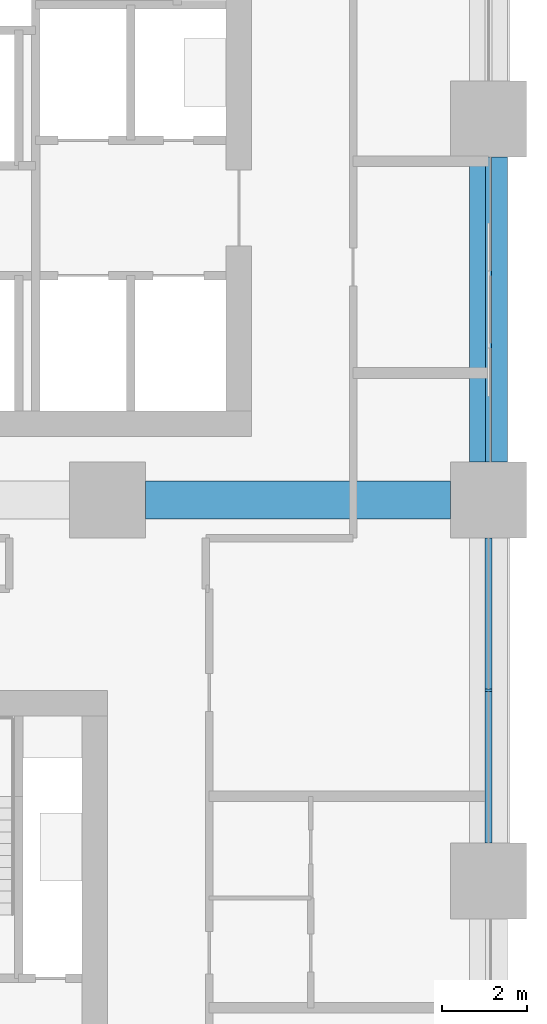
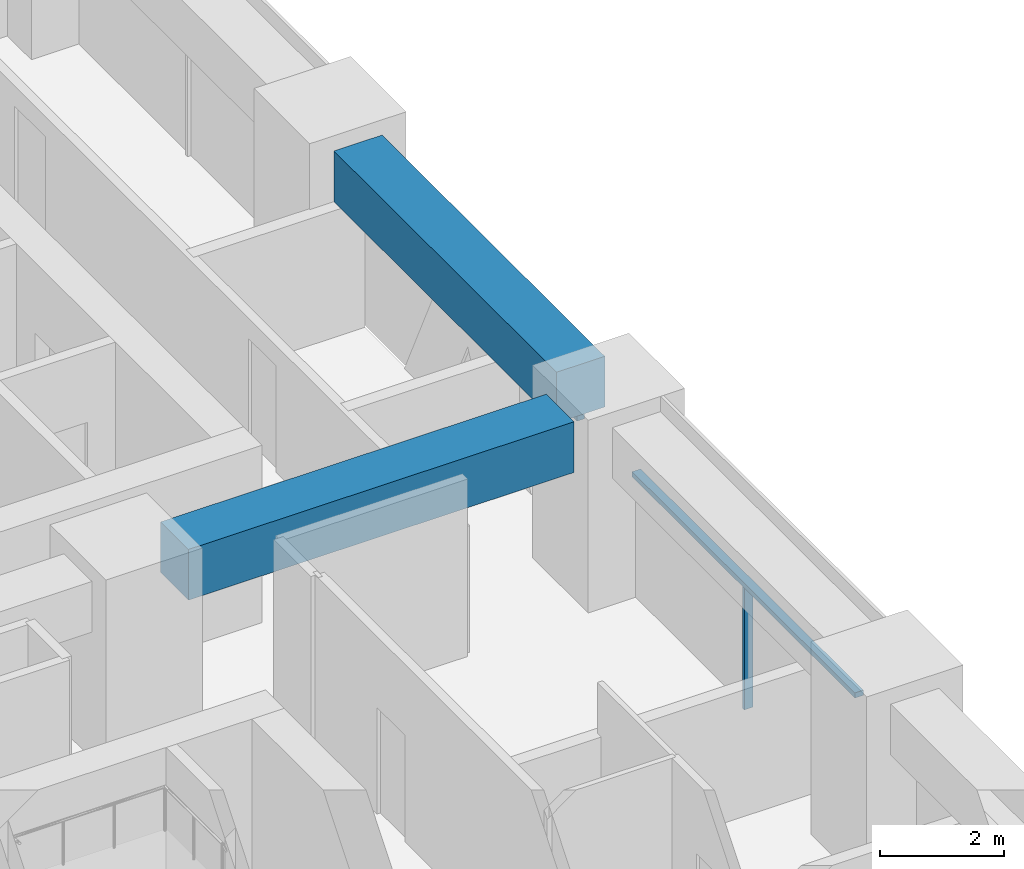
# One storey, part 6 of 21: 3 members, 2 beams, 2 elements without a shape of their own.
"""IFC4 building model written with IfcOpenShell, lengths in metres."""

import ifcopenshell
import ifcopenshell.guid

model = None  # the IFC model being written
_history = None  # IfcOwnerHistory: only IFC2X3 demands one
_inside = {}  # id of a spatial element -> (the spatial element, [elements in it])
_under = {}  # id of a project, library or spatial element -> (it, [spatial elements below it])
_declared = {}  # id of a project -> (the project, [libraries it declares])
_typed = {}  # id of a type object -> (the type object, [elements of that type])
_made_of = {}  # id of a material, layer set ... -> (it, [elements and type objects made of it])


def new_model(schema):
    """Start an empty IFC model of exactly this schema.

    Asked for "IFC4X3", IfcOpenShell would pick the latest addendum, in which some entities
    have other attributes; the version numbers below select the first issue.
    IFC2X3 requires an IfcOwnerHistory on every rooted entity: one is made here for all.
    """
    global model, _history
    if schema == "IFC4X3":
        model = ifcopenshell.file(schema_version=(4, 3, 0, 0))
    else:
        model = ifcopenshell.file(schema=schema)
    _inside.clear()
    _under.clear()
    _declared.clear()
    _typed.clear()
    _made_of.clear()
    _history = None
    if model.schema == "IFC2X3":
        org = make("IfcOrganization", Name="unknown")
        user = make(
            "IfcPersonAndOrganization",
            ThePerson=make("IfcPerson", FamilyName="unknown"),
            TheOrganization=org,
        )
        app = make(
            "IfcApplication",
            ApplicationDeveloper=org,
            Version="unknown",
            ApplicationFullName="unknown",
            ApplicationIdentifier="unknown",
        )
        _history = make(
            "IfcOwnerHistory",
            OwningUser=user,
            OwningApplication=app,
            ChangeAction="ADDED",
            CreationDate=0,
        )
    return model


def make(cls, **values):
    """One entity of the class cls with the attributes given. An attribute that is None is left unset."""
    return model.create_entity(
        cls, **{name: value for name, value in values.items() if value is not None}
    )


def rooted(cls, **values):
    """An entity with a GlobalId (a new one), such as an element, a storey or a relation."""
    return make(cls, GlobalId=ifcopenshell.guid.new(), OwnerHistory=_history, **values)


def si_unit(unit_type, name, prefix=None):
    """IfcSIUnit, for example si_unit("LENGTHUNIT", "METRE", prefix="MILLI")."""
    return make("IfcSIUnit", UnitType=unit_type, Prefix=prefix, Name=name)


def assignment(units):
    """IfcUnitAssignment: the units of a project."""
    return None if units is None else make("IfcUnitAssignment", Units=units)


def point(xyz):
    """IfcCartesianPoint."""
    return None if xyz is None else make("IfcCartesianPoint", Coordinates=xyz)


def direction(xyz):
    """IfcDirection."""
    return None if xyz is None else make("IfcDirection", DirectionRatios=xyz)


def frame(location, z_axis=None, x_axis=None):
    """IfcAxis2Placement3D, a coordinate frame: its origin and axes. An axis left out is left unset."""
    return make(
        "IfcAxis2Placement3D",
        Location=point(location),
        Axis=direction(z_axis),
        RefDirection=direction(x_axis),
    )


def frame_2d(location, x_axis=None):
    """IfcAxis2Placement2D, a coordinate frame in the plane: its origin and x axis."""
    return make(
        "IfcAxis2Placement2D", Location=point(location), RefDirection=direction(x_axis)
    )


def origin():
    """The frame at (0, 0, 0) with its axes left unset."""
    return frame((0.0, 0.0, 0.0))


def origin_2d():
    """The frame at (0, 0) in the plane with its x axis left unset."""
    return frame_2d((0.0, 0.0))


def place(relative_to, where):
    """IfcLocalPlacement: puts the frame where relative to a parent placement (None: the world)."""
    return make(
        "IfcLocalPlacement", PlacementRelTo=relative_to, RelativePlacement=where
    )


def context(
    kind, dimensions, precision=None, world=None, true_north=None, identifier=None
):
    """IfcGeometricRepresentationContext, for example the 3D "Model" context."""
    return make(
        "IfcGeometricRepresentationContext",
        ContextIdentifier=identifier,
        ContextType=kind,
        CoordinateSpaceDimension=dimensions,
        Precision=precision,
        WorldCoordinateSystem=world,
        TrueNorth=true_north,
    )


def subcontext(parent, identifier, kind, view, scale=None):
    """IfcGeometricRepresentationSubContext, for example "Body" below "Model"."""
    return make(
        "IfcGeometricRepresentationSubContext",
        ContextIdentifier=identifier,
        ContextType=kind,
        ParentContext=parent,
        TargetScale=scale,
        TargetView=view,
    )


def project(units=None, contexts=None):
    """IfcProject with its units and contexts."""
    return rooted(
        "IfcProject",
        Name="project",
        RepresentationContexts=contexts,
        UnitsInContext=assignment(units),
    )


def spatial(cls, under=None, at=None, **own):
    """A site, building, storey or space (cls), placed at a placement, below another one or the project."""
    s = rooted(cls, ObjectPlacement=at, **own)
    if under is not None:
        _under.setdefault(under.id(), (under, []))[1].append(s)
    return s


def profile(cls, at=None, kind="AREA", **sizes):
    """A parametric profile (cls). Its sizes go by their IFC names, for example OverallWidth=200.0."""
    return make(cls, ProfileType=kind, Position=at, **sizes)


def rectangle(**sizes):
    """IfcRectangleProfileDef."""
    return profile("IfcRectangleProfileDef", **sizes)


def extrude(swept, where, along, depth):
    """IfcExtrudedAreaSolid: the profile swept, set in the frame where, extruded along a direction by depth."""
    return make(
        "IfcExtrudedAreaSolid",
        SweptArea=swept,
        Position=where,
        ExtrudedDirection=direction(along),
        Depth=depth,
    )


def shape(context_of_items, identifier, shape_type, items):
    """IfcShapeRepresentation: the items that make up one representation, for example the "Body"."""
    return make(
        "IfcShapeRepresentation",
        ContextOfItems=context_of_items,
        RepresentationIdentifier=identifier,
        RepresentationType=shape_type,
        Items=items,
    )


def material(Name=None, Category=None):
    """IfcMaterial."""
    return make("IfcMaterial", Name=Name, Category=Category)


def material_profile(
    of_material, cross_section, Name=None, Category=None, Priority=None
):
    """IfcMaterialProfile: a cross section and its material."""
    return make(
        "IfcMaterialProfile",
        Name=Name,
        Material=of_material,
        Profile=cross_section,
        Priority=Priority,
        Category=Category,
    )


def profile_set(profiles, Name=None, composite=None):
    """IfcMaterialProfileSet."""
    return make(
        "IfcMaterialProfileSet",
        Name=Name,
        MaterialProfiles=profiles,
        CompositeProfile=composite,
    )


def made_of(thing, what):
    """Note that an element or type object is made of a material, layer set ...; save() writes the relation."""
    if what is not None:
        _made_of.setdefault(what.id(), (what, []))[1].append(thing)
    return thing


def type_object(cls, material=None, **own):
    """A type object (cls), such as IfcWallType, which elements share."""
    return made_of(rooted(cls, **own), material)


def element(
    cls,
    number,
    at=None,
    inside=None,
    cuts=None,
    type_object=None,
    material=None,
    context=None,
    identifier="Body",
    shape_type=None,
    held_by="IfcProductDefinitionShape",
    body=None,
    shapes=None,
    **own,
):
    """One element of the class cls, such as IfcWall. Its Tag is "e" and its number.

    at: its placement. inside: the storey or other place that contains it. cuts: it is an
    opening in that element (IfcRelVoidsElement). A single representation is given by context,
    identifier, shape_type and body (its items); several are given by shapes. held_by: the class
    of the entity that holds the representations. save() writes the other relations.
    """
    e = rooted(cls, Tag="e%d" % number, ObjectPlacement=at, **own)
    if body is not None:
        shapes = [shape(context, identifier, shape_type, body)]
    if shapes is not None:
        e.Representation = make(held_by, Representations=shapes)
    if inside is not None:
        _inside.setdefault(inside.id(), (inside, []))[1].append(e)
    if cuts is not None:
        rooted(
            "IfcRelVoidsElement", RelatingBuildingElement=cuts, RelatedOpeningElement=e
        )
    if type_object is not None:
        _typed.setdefault(type_object.id(), (type_object, []))[1].append(e)
    return made_of(e, material)


def aggregate(whole, parts):
    """IfcRelAggregates: a whole, such as a stair, and the parts it consists of."""
    return rooted("IfcRelAggregates", RelatingObject=whole, RelatedObjects=parts)


def save(model, path):
    """Write the relations noted so far, then the file.

    IfcRelAggregates (storeys below a building ...), IfcRelContainedInSpatialStructure (elements
    in a storey), IfcRelDefinesByType, IfcRelAssociatesMaterial and IfcRelDeclares: one each for
    every whole, place, type object, material and project.
    """
    for whole, parts in _under.values():
        aggregate(whole, parts)
    for where, things in _inside.values():
        rooted(
            "IfcRelContainedInSpatialStructure",
            RelatedElements=things,
            RelatingStructure=where,
        )
    for kind, things in _typed.values():
        rooted("IfcRelDefinesByType", RelatedObjects=things, RelatingType=kind)
    for what, things in _made_of.values():
        rooted("IfcRelAssociatesMaterial", RelatedObjects=things, RelatingMaterial=what)
    for by, libraries in _declared.values():
        rooted("IfcRelDeclares", RelatingContext=by, RelatedDefinitions=libraries)
    model.write(path)


model = new_model("IFC4")

# Units and contexts
model_context = context("Model", 3, precision=1e-05, world=origin(), true_north=direction((0.0, 1.0)))
body_context = subcontext(model_context, "Body", "Model", "MODEL_VIEW")
ifc_project = project(units=[si_unit("LENGTHUNIT", "METRE"), si_unit("AREAUNIT", "SQUARE_METRE"), si_unit("VOLUMEUNIT", "CUBIC_METRE"), si_unit("PLANEANGLEUNIT", "RADIAN"), si_unit("MASSUNIT", "GRAM", prefix="KILO")], contexts=[model_context])

# Site, building, storey
site_placement = place(None, origin())
site = spatial("IfcSite", under=ifc_project, at=site_placement, CompositionType="ELEMENT")
building_placement = place(site_placement, origin())
building = spatial("IfcBuilding", under=site, at=building_placement, Name="Tessera Arch", CompositionType="ELEMENT")
storey_placement = place(building_placement, frame((0.0, 0.0, 50.0)))
storey = spatial("IfcBuildingStorey", under=building, at=storey_placement, Name="L10", CompositionType="ELEMENT", Elevation=50.0)

# Curtain wall, members
ifc_material_1 = material(Name="CW1 curtain wall")
curtain_wall_type_1 = type_object("IfcCurtainWallType", Name="CW1 curtain wall", PredefinedType="NOTDEFINED", material=ifc_material_1)
curtain_wall_1_placement = place(storey_placement, origin())
curtain_wall_1 = element("IfcCurtainWall", 1, at=curtain_wall_1_placement, inside=storey, type_object=curtain_wall_type_1, Name="CW1 curtain wall E54.0/2 L10", PredefinedType="NOTDEFINED")
ifc_material_2 = material(Name="Anodised aluminium pale metal", Category="aluminium")
ifc_material_profile_1 = material_profile(ifc_material_2, rectangle(XDim=0.159912109375, YDim=0.06005859375, at=origin_2d()), Name="AL 60x160")
ifc_profile_set_1 = profile_set([ifc_material_profile_1], Name="Anodised aluminium pale metal")
member_type_1 = type_object("IfcMemberType", Name="CW1 mullion", PredefinedType="MULLION", material=ifc_profile_set_1)
member_1_placement = place(storey_placement, frame((54.0, 22.5, 0.0), z_axis=(0.0, 0.0, 1.0), x_axis=(-1.0, 0.0, 0.0)))
member_1 = element("IfcMember", 2, at=member_1_placement, type_object=member_type_1, Name="CW1 mullion E54.0/2 1", PredefinedType="MULLION", context=body_context, shape_type="SweptSolid", body=[
    extrude(rectangle(XDim=0.159912109375, YDim=0.06005859375, at=origin_2d()), origin(), (0.0, 0.0, 1.0), 2.39990234375),
])
ifc_material_3 = material(Name="Anodised aluminium pale metal", Category="aluminium")
ifc_material_profile_2 = material_profile(ifc_material_3, rectangle(XDim=0.159912109375, YDim=0.10009765625, at=origin_2d()), Name="AL 160x100")
ifc_profile_set_2 = profile_set([ifc_material_profile_2], Name="Anodised aluminium pale metal")
member_type_2 = type_object("IfcMemberType", Name="CW1 transom", PredefinedType="USERDEFINED", material=ifc_profile_set_2)
member_2_placement = place(storey_placement, frame((54.0, 18.89990234375, 2.449951171875), z_axis=(0.0, 1.0, 0.0), x_axis=(-1.0, 0.0, 0.0)))
member_2 = element("IfcMember", 3, at=member_2_placement, type_object=member_type_2, Name="CW1 transom E54.0/2 1.1", ObjectType="TRANSOM", PredefinedType="USERDEFINED", context=body_context, shape_type="SweptSolid", body=[
    extrude(rectangle(XDim=0.159912109375, YDim=0.10009765625, at=origin_2d()), origin(), (0.0, 0.0, 1.0), 7.2001953125),
])
aggregate(curtain_wall_1, [member_1, member_2])

# Curtain wall, member
ifc_material_4 = material(Name="CW3 curtain wall")
curtain_wall_type_2 = type_object("IfcCurtainWallType", Name="CW3 curtain wall", PredefinedType="NOTDEFINED", material=ifc_material_4)
curtain_wall_2_placement = place(storey_placement, origin())
curtain_wall_2 = element("IfcCurtainWall", 4, at=curtain_wall_2_placement, inside=storey, type_object=curtain_wall_type_2, Name="CW3 curtain wall E54.0/3 L10", PredefinedType="NOTDEFINED")
ifc_material_5 = material(Name="Anodised aluminium pale metal", Category="aluminium")
ifc_material_profile_3 = material_profile(ifc_material_5, rectangle(XDim=0.139892578125, YDim=0.10009765625, at=origin_2d()), Name="AL 140x100")
ifc_profile_set_3 = profile_set([ifc_material_profile_3], Name="Anodised aluminium pale metal")
member_type_3 = type_object("IfcMemberType", Name="CW3 transom", PredefinedType="USERDEFINED", material=ifc_profile_set_3)
member_3_placement = place(storey_placement, frame((54.0, 27.89990234375, 2.449951171875), z_axis=(0.0, 1.0, 0.0), x_axis=(-1.0, 0.0, 0.0)))
member_3 = element("IfcMember", 5, at=member_3_placement, type_object=member_type_3, Name="CW3 transom E54.0/3 1.1", ObjectType="TRANSOM", PredefinedType="USERDEFINED", context=body_context, shape_type="SweptSolid", body=[
    extrude(rectangle(XDim=0.139892578125, YDim=0.10009765625, at=origin_2d()), origin(), (0.0, 0.0, 1.0), 7.2001953125),
])
aggregate(curtain_wall_2, [member_3])

# Beams
ifc_material_6 = material(Name="Concrete C80/95", Category="concrete")
ifc_material_profile_4 = material_profile(ifc_material_6, rectangle(XDim=0.89990234375, YDim=1.0, at=origin_2d()), Name="RC spandrel beam 900 x 1000 Concrete C80/95")
ifc_profile_set_4 = profile_set([ifc_material_profile_4], Name="Concrete C80/95")
beam_type = type_object("IfcBeamType", Name="RC spandrel beam 900 x 1000 Concrete C80/95", PredefinedType="BEAM", material=ifc_profile_set_4)
for number, where, z_axis, x_axis, name in (
    (6, (54.0, 27.89990234375, 3.0), (0.0, 1.0, 0.0), (-1.0, 0.0, 0.0), "Spandrel beam L10 E54.0/3"),
    (7, (45.89990234375, 27.0, 3.0), (1.0, 0.0, 0.0), (0.0, 1.0, 0.0), "Interface beam L10 I1C6D-C7D"),
):
    element("IfcBeam", number, at=place(storey_placement, frame(where, z_axis=z_axis, x_axis=x_axis)), inside=storey, type_object=beam_type, Name=name, PredefinedType="BEAM", context=body_context, shape_type="SweptSolid", body=[
        extrude(rectangle(XDim=0.89990234375, YDim=1.0, at=origin_2d()), origin(), (0.0, 0.0, 1.0), 7.2001953125),
    ])

save(model, "model.ifc")
